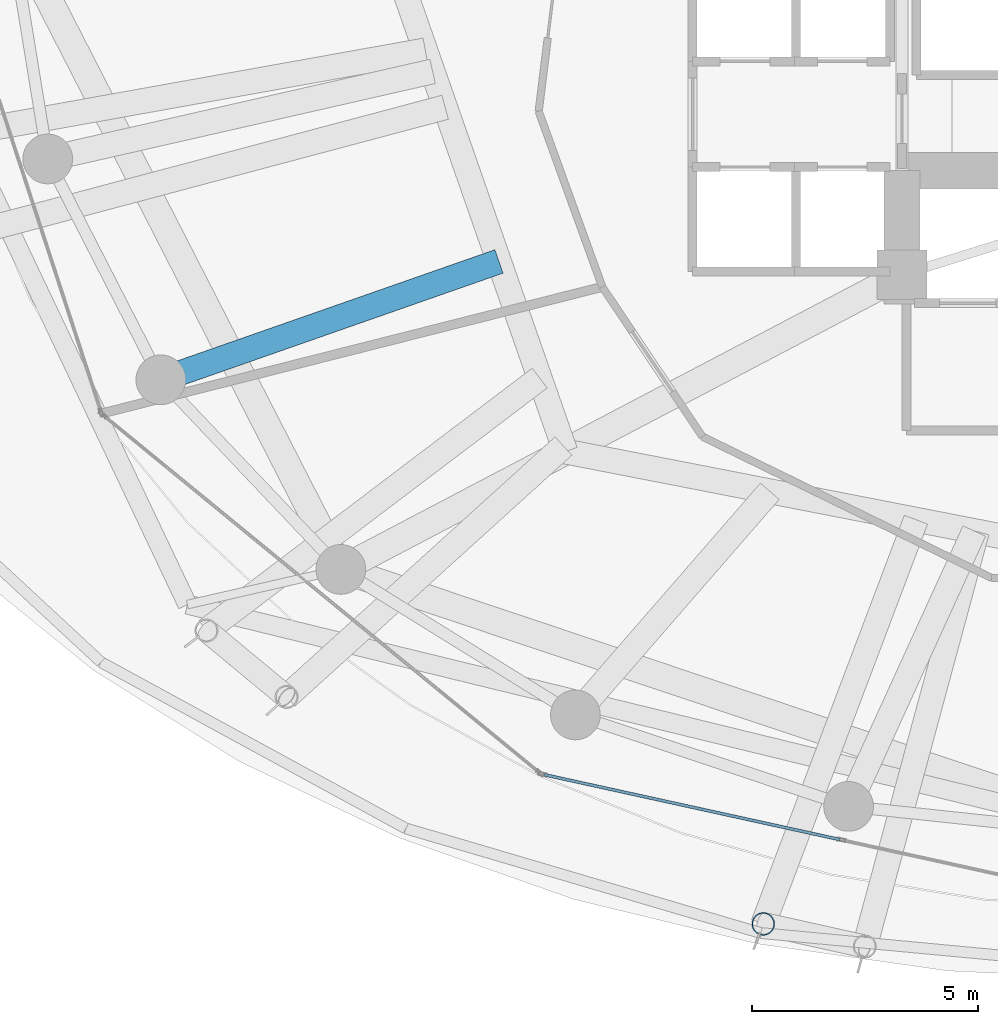
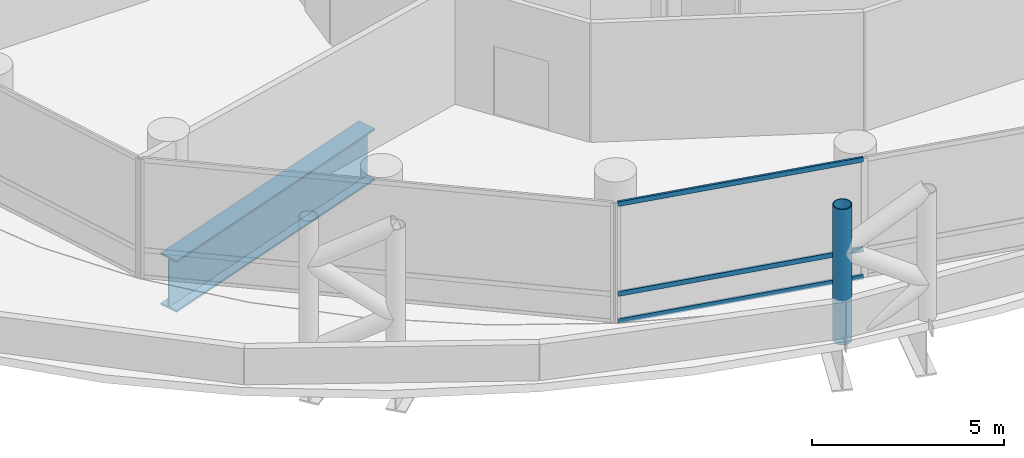
# One storey, part 3 of 37: 4 members, 1 beam, 1 element without a shape of its own.
"""IFC4 building model written with IfcOpenShell, lengths in metres."""

from ifc_helpers import new_model, si_unit, direction, frame, origin, origin_2d, place, context, subcontext, project, spatial, hollow_rectangle, hollow_circle, i_section, extrude, material, layer, layer_set, material_profile, profile_set, type_object, element, aggregate, save


model = new_model("IFC4")

# Units and contexts
model_context = context("Model", 3, precision=1e-05, world=origin(), true_north=direction((0.0, 1.0)))
body_context = subcontext(model_context, "Body", "Model", "MODEL_VIEW")
ifc_project = project(units=[si_unit("LENGTHUNIT", "METRE"), si_unit("AREAUNIT", "SQUARE_METRE"), si_unit("VOLUMEUNIT", "CUBIC_METRE"), si_unit("PLANEANGLEUNIT", "RADIAN"), si_unit("MASSUNIT", "GRAM", prefix="KILO")], contexts=[model_context])

# Site, building, storey
site_placement = place(None, origin())
site = spatial("IfcSite", under=ifc_project, at=site_placement, CompositionType="ELEMENT")
building_placement = place(site_placement, origin())
building = spatial("IfcBuilding", under=site, at=building_placement, Name="Nuhasar Tower", CompositionType="ELEMENT")
storey_placement = place(building_placement, frame((0.0, 0.0, 21.0)))
storey = spatial("IfcBuildingStorey", under=building, at=storey_placement, Name="L04", CompositionType="ELEMENT", Elevation=21.0)

# Beam
ifc_material_1 = material(Name="Steel S460", Category="steel")
ifc_material_profile_1 = material_profile(ifc_material_1, i_section(OverallWidth=0.550048828125, OverallDepth=1.64990234375, WebThickness=0.031982421875, FlangeThickness=0.054931640625, at=origin_2d()), Name="PG1650X550")
ifc_profile_set_1 = profile_set([ifc_material_profile_1], Name="Steel S460")
beam_type = type_object("IfcBeamType", Name="BM-XFER-PG1650", PredefinedType="USERDEFINED", material=ifc_profile_set_1)
beam_placement = place(storey_placement, frame((24.784912109375, 19.29296875, -1.0849609375), z_axis=(-0.943847788374, -0.330380617442, 0.0), x_axis=(0.330380617442, -0.943847788374, 0.0)))
element("IfcBeam", 1, at=beam_placement, inside=storey, type_object=beam_type, Name="L04 Inner Column Transfer Girder 15", ObjectType="GIRDER", PredefinedType="USERDEFINED", context=body_context, shape_type="SweptSolid", body=[
    extrude(i_section(OverallWidth=0.550048828125, OverallDepth=1.64990234375, WebThickness=0.031982421875, FlangeThickness=0.054931640625, at=origin_2d()), origin(), (0.0, 0.0, 1.0), 7.924072265625),
])

# Curtain wall, members
ifc_material_2 = material(Name="Aluminium 6063-T6", Category="aluminium")
ifc_layer = layer(ifc_material_2, 0.199951171875)
ifc_layer_set = layer_set([ifc_layer], Name="Aluminium 6063-T6")
curtain_wall_type = type_object("IfcCurtainWallType", Name="CW-Z1-OFF", PredefinedType="NOTDEFINED", material=ifc_layer_set)
curtain_wall_placement = place(storey_placement, origin())
curtain_wall = element("IfcCurtainWall", 2, at=curtain_wall_placement, inside=storey, type_object=curtain_wall_type, Name="L04 Unitised Curtain Wall 09", PredefinedType="NOTDEFINED")
ifc_material_profile_2 = material_profile(ifc_material_2, hollow_rectangle(XDim=0.06494140625, YDim=0.14990234375, WallThickness=0.00439453125, at=origin_2d()), Name="CWT-2")
ifc_profile_set_2 = profile_set([ifc_material_profile_2], Name="Aluminium 6063-T6")
member_type_1 = type_object("IfcMemberType", Name="CW-TRN-S2", PredefinedType="USERDEFINED", material=ifc_profile_set_2)
member_1_placement = place(storey_placement, frame((25.783447265625, 7.941162109375, 0.032470703125), z_axis=(0.976741923778, -0.214418316228, 0.0), x_axis=(0.214418316228, 0.976741923778, 0.0)))
member_1 = element("IfcMember", 3, at=member_1_placement, type_object=member_type_1, Name="CW-Z1 transom 1.1", ObjectType="TRANSOM", PredefinedType="USERDEFINED", context=body_context, shape_type="SweptSolid", body=[
    extrude(hollow_rectangle(XDim=0.06494140625, YDim=0.14990234375, WallThickness=0.00439453125, at=origin_2d()), origin(), (0.0, 0.0, 1.0), 6.70068359375),
])
member_2_placement = place(storey_placement, frame((25.783447265625, 7.941162109375, 0.89990234375), z_axis=(0.976741923778, -0.214418316228, 0.0), x_axis=(0.214418316228, 0.976741923778, 0.0)))
member_2 = element("IfcMember", 4, at=member_2_placement, type_object=member_type_1, Name="CW-Z1 transom 1.2", ObjectType="TRANSOM", PredefinedType="USERDEFINED", context=body_context, shape_type="SweptSolid", body=[
    extrude(hollow_rectangle(XDim=0.06494140625, YDim=0.14990234375, WallThickness=0.00439453125, at=origin_2d()), origin(), (0.0, 0.0, 1.0), 6.70068359375),
])
member_3_placement = place(storey_placement, frame((25.783447265625, 7.941162109375, 3.757568359375), z_axis=(0.976741923778, -0.214418316228, 0.0), x_axis=(0.214418316228, 0.976741923778, 0.0)))
member_3 = element("IfcMember", 5, at=member_3_placement, type_object=member_type_1, Name="CW-Z1 transom 1.3", ObjectType="TRANSOM", PredefinedType="USERDEFINED", context=body_context, shape_type="SweptSolid", body=[
    extrude(hollow_rectangle(XDim=0.06494140625, YDim=0.14990234375, WallThickness=0.00439453125, at=origin_2d()), origin(), (0.0, 0.0, 1.0), 6.70068359375),
])
aggregate(curtain_wall, [member_1, member_2, member_3])

# Member
ifc_material_profile_3 = material_profile(ifc_material_1, hollow_circle(Radius=0.25390625, WallThickness=0.025390625, at=origin_2d()), Name="HSS508X25.4")
ifc_profile_set_3 = profile_set([ifc_material_profile_3], Name="Steel S460")
member_type_2 = type_object("IfcMemberType", Name="EXO-BRONZE-508", PredefinedType="BRACE", material=ifc_profile_set_3)
member_4_placement = place(storey_placement, frame((30.6298828125, 4.639892578125, -0.260009765625), z_axis=(0.0, 0.0, 1.0), x_axis=(1.0, 0.0, 0.0)))
element("IfcMember", 6, at=member_4_placement, inside=storey, type_object=member_type_2, Name="L04 Exoskeleton Chord Column EC-09A", PredefinedType="BRACE", context=body_context, shape_type="SweptSolid", body=[
    extrude(hollow_circle(Radius=0.25390625, WallThickness=0.025390625, at=origin_2d()), origin(), (0.0, 0.0, 1.0), 4.31005859375),
])

save(model, "model.ifc")
